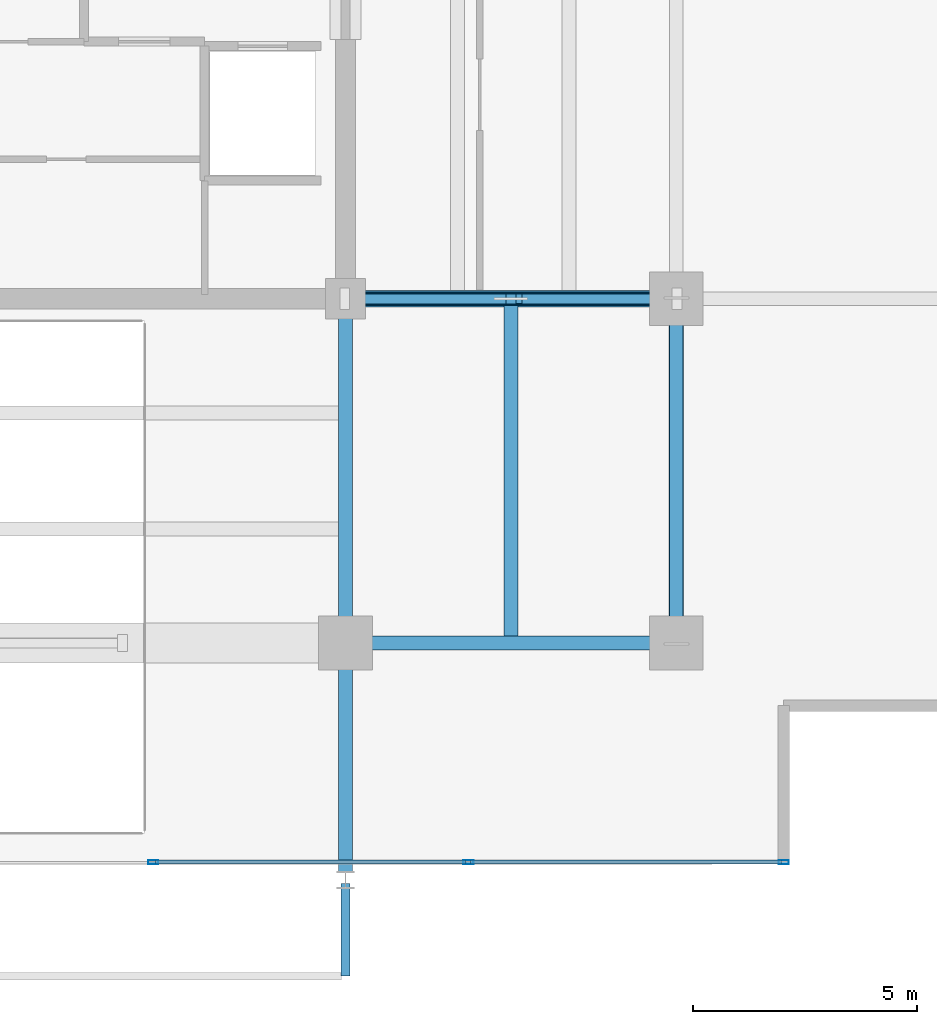
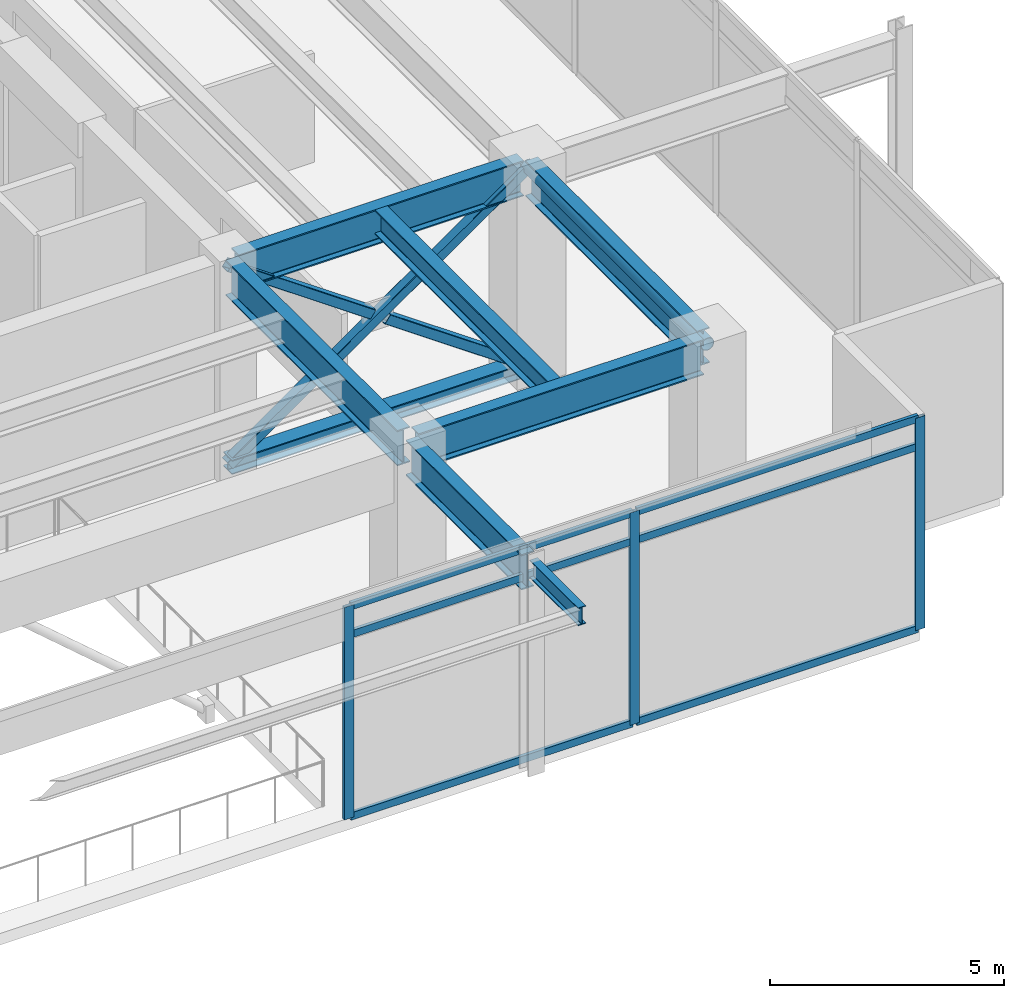
# One storey, part 8 of 26: 14 members, 7 beams, 1 element without a shape of its own.
"""IFC4 building model written with IfcOpenShell, lengths in metres."""

from ifc_helpers import new_model, si_unit, direction, frame, origin, origin_2d, place, context, subcontext, project, spatial, hollow_rectangle, hollow_circle, i_section, extrude, material, material_profile, profile_set, type_object, element, aggregate, save


model = new_model("IFC4")

# Units and contexts
model_context = context("Model", 3, precision=1e-05, world=origin(), true_north=direction((0.0, 1.0)))
body_context = subcontext(model_context, "Body", "Model", "MODEL_VIEW")
ifc_project = project(units=[si_unit("LENGTHUNIT", "METRE"), si_unit("AREAUNIT", "SQUARE_METRE"), si_unit("VOLUMEUNIT", "CUBIC_METRE"), si_unit("PLANEANGLEUNIT", "RADIAN"), si_unit("MASSUNIT", "GRAM", prefix="KILO")], contexts=[model_context])

# Site, building, storey
site_placement = place(None, origin())
site = spatial("IfcSite", under=ifc_project, at=site_placement, CompositionType="ELEMENT")
building_placement = place(site_placement, origin())
building = spatial("IfcBuilding", under=site, at=building_placement, Name="Kovane Verandah Tower", CompositionType="ELEMENT")
storey_placement = place(building_placement, frame((0.0, 0.0, 301.0)))
storey = spatial("IfcBuildingStorey", under=building, at=storey_placement, Name="L70", CompositionType="ELEMENT", Elevation=301.0)

# Beams
ifc_material_1 = material(Name="Steel S460", Category="steel")
ifc_material_profile_1 = material_profile(ifc_material_1, i_section(OverallWidth=0.311279296875, OverallDepth=0.6357421875, WebThickness=0.018310546875, FlangeThickness=0.031494140625, FilletRadius=0.0166015625, at=origin_2d()), Name="UB610x305x238")
ifc_profile_set_1 = profile_set([ifc_material_profile_1], Name="Steel S460")
beam_type_1 = type_object("IfcBeamType", Name="BM-UB610x238", PredefinedType="BEAM", material=ifc_profile_set_1)
beam_1_placement = place(storey_placement, frame((54.699951171875, 10.951904296875, 5.26708984375), z_axis=(0.0, 1.0, 0.0), x_axis=(-1.0, 0.0, 0.0)))
element("IfcBeam", 1, at=beam_1_placement, inside=storey, type_object=beam_type_1, Name="L70 Secondary Composite Joist J-SE1", PredefinedType="BEAM", context=body_context, shape_type="SweptSolid", body=[
    extrude(i_section(OverallWidth=0.311279296875, OverallDepth=0.6357421875, WebThickness=0.018310546875, FlangeThickness=0.031494140625, FilletRadius=0.0166015625, at=origin_2d()), origin(), (0.0, 0.0, 1.0), 7.396240234375),
])
ifc_material_profile_2 = material_profile(ifc_material_1, i_section(OverallWidth=0.3076171875, OverallDepth=0.926513671875, WebThickness=0.01953125, FlangeThickness=0.031982421875, FilletRadius=0.01904296875, at=origin_2d()), Name="UB914x305x289")
ifc_profile_set_2 = profile_set([ifc_material_profile_2], Name="Steel S460")
beam_type_2 = type_object("IfcBeamType", Name="BM-UB914x289", PredefinedType="BEAM", material=ifc_profile_set_2)
beam_2_placement = place(storey_placement, frame((51.179931640625, 10.800048828125, 5.12158203125), z_axis=(1.0, 0.0, 0.0), x_axis=(0.0, 1.0, 0.0)))
element("IfcBeam", 2, at=beam_2_placement, inside=storey, type_object=beam_type_2, Name="L70 Primary Tower Girder G-RS3", PredefinedType="BEAM", context=body_context, shape_type="SweptSolid", body=[
    extrude(i_section(OverallWidth=0.3076171875, OverallDepth=0.926513671875, WebThickness=0.01953125, FlangeThickness=0.031982421875, FilletRadius=0.01904296875, at=origin_2d()), origin(), (0.0, 0.0, 1.0), 7.0400390625),
])
beam_3_placement = place(storey_placement, frame((58.39990234375, 10.97998046875, 5.12158203125), z_axis=(0.0, 1.0, 0.0), x_axis=(-1.0, 0.0, 0.0)))
element("IfcBeam", 3, at=beam_3_placement, inside=storey, type_object=beam_type_2, Name="L70 Primary Tower Girder G-RE1", PredefinedType="BEAM", context=body_context, shape_type="SweptSolid", body=[
    extrude(i_section(OverallWidth=0.3076171875, OverallDepth=0.926513671875, WebThickness=0.01953125, FlangeThickness=0.031982421875, FilletRadius=0.01904296875, at=origin_2d()), origin(), (0.0, 0.0, 1.0), 7.340087890625),
])
beam_4_placement = place(storey_placement, frame((51.179931640625, 18.5, 5.12158203125), z_axis=(1.0, 0.0, 0.0), x_axis=(0.0, 1.0, 0.0)))
element("IfcBeam", 4, at=beam_4_placement, inside=storey, type_object=beam_type_2, Name="L70 Primary Tower Girder G-E1", PredefinedType="BEAM", context=body_context, shape_type="SweptSolid", body=[
    extrude(i_section(OverallWidth=0.3076171875, OverallDepth=0.926513671875, WebThickness=0.01953125, FlangeThickness=0.031982421875, FilletRadius=0.01904296875, at=origin_2d()), origin(), (0.0, 0.0, 1.0), 7.0400390625),
])
beam_5_placement = place(storey_placement, frame((51.0, 18.320068359375, 5.12158203125), z_axis=(0.0, -1.0, 0.0), x_axis=(1.0, 0.0, 0.0)))
element("IfcBeam", 5, at=beam_5_placement, inside=storey, type_object=beam_type_2, Name="L70 Primary Tower Girder G-S2", PredefinedType="BEAM", context=body_context, shape_type="SweptSolid", body=[
    extrude(i_section(OverallWidth=0.3076171875, OverallDepth=0.926513671875, WebThickness=0.01953125, FlangeThickness=0.031982421875, FilletRadius=0.01904296875, at=origin_2d()), origin(), (0.0, 0.0, 1.0), 7.340087890625),
])
beam_6_placement = place(storey_placement, frame((51.0, 10.6201171875, 5.0966796875), z_axis=(0.0, -1.0, 0.0), x_axis=(1.0, 0.0, 0.0)))
element("IfcBeam", 6, at=beam_6_placement, inside=storey, type_object=beam_type_2, Name="L70 Primary Tower Girder G-VS2", PredefinedType="BEAM", context=body_context, shape_type="SweptSolid", body=[
    extrude(i_section(OverallWidth=0.3076171875, OverallDepth=0.926513671875, WebThickness=0.01953125, FlangeThickness=0.031982421875, FilletRadius=0.01904296875, at=origin_2d()), origin(), (0.0, 0.0, 1.0), 4.940185546875),
])

# Curtain wall, members
ifc_material_2 = material(Name="Champagne Anodised Aluminium Frame with Low-E Clear Laminated Glass", Category="aluminium")
curtain_wall_type = type_object("IfcCurtainWallType", Name="CW-SYS-05-HIGH", PredefinedType="NOTDEFINED", material=ifc_material_2)
curtain_wall_placement = place(storey_placement, origin())
curtain_wall = element("IfcCurtainWall", 7, at=curtain_wall_placement, inside=storey, type_object=curtain_wall_type, Name="L70 South-East Wind-Portal Curtain Wall 1", PredefinedType="NOTDEFINED")
ifc_material_3 = material(Name="Champagne Anodised Aluminium 6063-T6", Category="aluminium")
ifc_material_profile_3 = material_profile(ifc_material_3, hollow_rectangle(XDim=0.0849609375, YDim=0.22998046875, WallThickness=0.00390625, at=origin_2d()), Name="AL85x230x4")
ifc_profile_set_3 = profile_set([ifc_material_profile_3], Name="Champagne Anodised Aluminium 6063-T6")
member_type_1 = type_object("IfcMemberType", Name="CW-MUL-85x230", PredefinedType="MULLION", material=ifc_profile_set_3)
member_1_placement = place(storey_placement, frame((46.699951171875, 5.89990234375, 0.02001953125), z_axis=(0.0, 0.0, 1.0), x_axis=(0.0, -1.0, 0.0)))
member_1 = element("IfcMember", 8, at=member_1_placement, type_object=member_type_1, Name="L70 South-East Wind-Portal Curtain Wall 1 Mullion 1", PredefinedType="MULLION", context=body_context, shape_type="SweptSolid", body=[
    extrude(hollow_rectangle(XDim=0.0849609375, YDim=0.22998046875, WallThickness=0.00390625, at=origin_2d()), origin(), (0.0, 0.0, 1.0), 5.544921875),
])
member_2_placement = place(storey_placement, frame((53.75, 5.89990234375, 0.02001953125), z_axis=(0.0, 0.0, 1.0), x_axis=(0.0, -1.0, 0.0)))
member_2 = element("IfcMember", 9, at=member_2_placement, type_object=member_type_1, Name="L70 South-East Wind-Portal Curtain Wall 1 Mullion 2", PredefinedType="MULLION", context=body_context, shape_type="SweptSolid", body=[
    extrude(hollow_rectangle(XDim=0.0849609375, YDim=0.22998046875, WallThickness=0.00390625, at=origin_2d()), origin(), (0.0, 0.0, 1.0), 5.544921875),
])
member_3_placement = place(storey_placement, frame((60.800048828125, 5.89990234375, 0.02001953125), z_axis=(0.0, 0.0, 1.0), x_axis=(0.0, -1.0, 0.0)))
member_3 = element("IfcMember", 10, at=member_3_placement, type_object=member_type_1, Name="L70 South-East Wind-Portal Curtain Wall 1 Mullion 3", PredefinedType="MULLION", context=body_context, shape_type="SweptSolid", body=[
    extrude(hollow_rectangle(XDim=0.0849609375, YDim=0.22998046875, WallThickness=0.00390625, at=origin_2d()), origin(), (0.0, 0.0, 1.0), 5.544921875),
])
ifc_material_profile_4 = material_profile(ifc_material_3, hollow_rectangle(XDim=0.0849609375, YDim=0.18994140625, WallThickness=0.00390625, at=origin_2d()), Name="AL85x190x4")
ifc_profile_set_4 = profile_set([ifc_material_profile_4], Name="Champagne Anodised Aluminium 6063-T6")
member_type_2 = type_object("IfcMemberType", Name="CW-TRN-85x190", PredefinedType="USERDEFINED", material=ifc_profile_set_4)
member_4_placement = place(storey_placement, frame((46.75, 5.89990234375, 0.050048828125), z_axis=(1.0, 0.0, 0.0), x_axis=(0.0, 1.0, 0.0)))
member_4 = element("IfcMember", 11, at=member_4_placement, type_object=member_type_2, Name="L70 South-East Wind-Portal Curtain Wall 1 Transom TB Bay 1", ObjectType="TRANSOM", PredefinedType="USERDEFINED", context=body_context, shape_type="SweptSolid", body=[
    extrude(hollow_rectangle(XDim=0.0849609375, YDim=0.18994140625, WallThickness=0.00390625, at=origin_2d()), origin(), (0.0, 0.0, 1.0), 6.949951171875),
])
member_5_placement = place(storey_placement, frame((46.75, 5.89990234375, 4.804931640625), z_axis=(1.0, 0.0, 0.0), x_axis=(0.0, 1.0, 0.0)))
member_5 = element("IfcMember", 12, at=member_5_placement, type_object=member_type_2, Name="L70 South-East Wind-Portal Curtain Wall 1 Transom TM Bay 1", ObjectType="TRANSOM", PredefinedType="USERDEFINED", context=body_context, shape_type="SweptSolid", body=[
    extrude(hollow_rectangle(XDim=0.0849609375, YDim=0.18994140625, WallThickness=0.00390625, at=origin_2d()), origin(), (0.0, 0.0, 1.0), 6.949951171875),
])
member_6_placement = place(storey_placement, frame((46.75, 5.89990234375, 5.534912109375), z_axis=(1.0, 0.0, 0.0), x_axis=(0.0, 1.0, 0.0)))
member_6 = element("IfcMember", 13, at=member_6_placement, type_object=member_type_2, Name="L70 South-East Wind-Portal Curtain Wall 1 Transom TT Bay 1", ObjectType="TRANSOM", PredefinedType="USERDEFINED", context=body_context, shape_type="SweptSolid", body=[
    extrude(hollow_rectangle(XDim=0.0849609375, YDim=0.18994140625, WallThickness=0.00390625, at=origin_2d()), origin(), (0.0, 0.0, 1.0), 6.949951171875),
])
member_7_placement = place(storey_placement, frame((53.800048828125, 5.89990234375, 0.050048828125), z_axis=(1.0, 0.0, 0.0), x_axis=(0.0, 1.0, 0.0)))
member_7 = element("IfcMember", 14, at=member_7_placement, type_object=member_type_2, Name="L70 South-East Wind-Portal Curtain Wall 1 Transom TB Bay 2", ObjectType="TRANSOM", PredefinedType="USERDEFINED", context=body_context, shape_type="SweptSolid", body=[
    extrude(hollow_rectangle(XDim=0.0849609375, YDim=0.18994140625, WallThickness=0.00390625, at=origin_2d()), origin(), (0.0, 0.0, 1.0), 6.949951171875),
])
member_8_placement = place(storey_placement, frame((53.800048828125, 5.89990234375, 4.804931640625), z_axis=(1.0, 0.0, 0.0), x_axis=(0.0, 1.0, 0.0)))
member_8 = element("IfcMember", 15, at=member_8_placement, type_object=member_type_2, Name="L70 South-East Wind-Portal Curtain Wall 1 Transom TM Bay 2", ObjectType="TRANSOM", PredefinedType="USERDEFINED", context=body_context, shape_type="SweptSolid", body=[
    extrude(hollow_rectangle(XDim=0.0849609375, YDim=0.18994140625, WallThickness=0.00390625, at=origin_2d()), origin(), (0.0, 0.0, 1.0), 6.949951171875),
])
member_9_placement = place(storey_placement, frame((53.800048828125, 5.89990234375, 5.534912109375), z_axis=(1.0, 0.0, 0.0), x_axis=(0.0, 1.0, 0.0)))
member_9 = element("IfcMember", 16, at=member_9_placement, type_object=member_type_2, Name="L70 South-East Wind-Portal Curtain Wall 1 Transom TT Bay 2", ObjectType="TRANSOM", PredefinedType="USERDEFINED", context=body_context, shape_type="SweptSolid", body=[
    extrude(hollow_rectangle(XDim=0.0849609375, YDim=0.18994140625, WallThickness=0.00390625, at=origin_2d()), origin(), (0.0, 0.0, 1.0), 6.949951171875),
])
aggregate(curtain_wall, [member_1, member_2, member_3, member_4, member_5, member_6, member_7, member_8, member_9])

# Beam
ifc_material_4 = material(Name="Steel S355", Category="steel")
ifc_material_profile_5 = material_profile(ifc_material_4, i_section(OverallWidth=0.19287109375, OverallDepth=0.46728515625, WebThickness=0.011474609375, FlangeThickness=0.01953125, FilletRadius=0.01025390625, at=origin_2d()), Name="UB457x191x98")
ifc_profile_set_5 = profile_set([ifc_material_profile_5], Name="Steel S355")
beam_type_3 = type_object("IfcBeamType", Name="JST-UB457x98", PredefinedType="JOIST", material=ifc_profile_set_5)
beam_7_placement = place(storey_placement, frame((51.0, 5.419921875, 5.326416015625), z_axis=(0.0, -1.0, 0.0), x_axis=(1.0, 0.0, 0.0)))
element("IfcBeam", 17, at=beam_7_placement, inside=storey, type_object=beam_type_3, Name="L70 South Planter Girder 2", PredefinedType="JOIST", context=body_context, shape_type="SweptSolid", body=[
    extrude(i_section(OverallWidth=0.19287109375, OverallDepth=0.46728515625, WebThickness=0.011474609375, FlangeThickness=0.01953125, FilletRadius=0.01025390625, at=origin_2d()), origin(), (0.0, 0.0, 1.0), 2.06982421875),
])

# Members
ifc_material_profile_6 = material_profile(ifc_material_4, hollow_rectangle(XDim=0.25, YDim=0.25, WallThickness=0.012451171875, InnerFilletRadius=0.012451171875, OuterFilletRadius=0.02490234375, at=origin_2d()), Name="SHS250x250x12.5")
ifc_profile_set_6 = profile_set([ifc_material_profile_6], Name="Steel S355")
member_type_3 = type_object("IfcMemberType", Name="MEM-BR-SHS250", PredefinedType="BRACE", material=ifc_profile_set_6)
member_10_placement = place(storey_placement, frame((51.0, 18.5, 0.1201171875), z_axis=(0.818977960496, 0.0, 0.573824973509), x_axis=(0.0, 1.0, 0.0)))
element("IfcMember", 18, at=member_10_placement, inside=storey, type_object=member_type_3, Name="L70 Outrigger Continuous Diagonal OE1", PredefinedType="BRACE", context=body_context, shape_type="SweptSolid", body=[
    extrude(hollow_rectangle(XDim=0.25, YDim=0.25, WallThickness=0.012451171875, InnerFilletRadius=0.012451171875, OuterFilletRadius=0.02490234375, at=origin_2d()), origin(), (0.0, 0.0, 1.0), 9.03564453125),
])
member_11_placement = place(storey_placement, frame((58.39990234375, 18.5, 0.1201171875), z_axis=(-0.818988986866, 0.0, 0.573809236064), x_axis=(0.0, -1.0, 0.0)))
element("IfcMember", 19, at=member_11_placement, inside=storey, type_object=member_type_3, Name="L70 Outrigger Split Diagonal Lower OE1", PredefinedType="BRACE", context=body_context, shape_type="SweptSolid", body=[
    extrude(hollow_rectangle(XDim=0.25, YDim=0.25, WallThickness=0.012451171875, InnerFilletRadius=0.012451171875, OuterFilletRadius=0.02490234375, at=origin_2d()), origin(), (0.0, 0.0, 1.0), 4.297607421875),
])
member_12_placement = place(storey_placement, frame((54.519775390625, 18.5, 2.838623046875), z_axis=(-0.818962290692, 0.0, 0.573847337211), x_axis=(0.0, -1.0, 0.0)))
element("IfcMember", 20, at=member_12_placement, inside=storey, type_object=member_type_3, Name="L70 Outrigger Split Diagonal Upper OE1", PredefinedType="BRACE", context=body_context, shape_type="SweptSolid", body=[
    extrude(hollow_rectangle(XDim=0.25, YDim=0.25, WallThickness=0.012451171875, InnerFilletRadius=0.012451171875, OuterFilletRadius=0.02490234375, at=origin_2d()), origin(), (0.0, 0.0, 1.0), 4.2978515625),
])
ifc_material_profile_7 = material_profile(ifc_material_4, i_section(OverallWidth=0.374755859375, OverallDepth=0.37451171875, WebThickness=0.0166015625, FlangeThickness=0.027099609375, FilletRadius=0.01513671875, at=origin_2d()), Name="UC356x368x202")
ifc_profile_set_7 = profile_set([ifc_material_profile_7], Name="Steel S355")
member_type_4 = type_object("IfcMemberType", Name="MEM-CHORD-UC202", PredefinedType="CHORD", material=ifc_profile_set_7)
member_13_placement = place(storey_placement, frame((51.0, 18.5, 0.1201171875), z_axis=(1.0, 0.0, 0.0), x_axis=(0.0, 1.0, 0.0)))
element("IfcMember", 21, at=member_13_placement, inside=storey, type_object=member_type_4, Name="L70 Outrigger Bottom Chord OE1", PredefinedType="CHORD", context=body_context, shape_type="SweptSolid", body=[
    extrude(i_section(OverallWidth=0.374755859375, OverallDepth=0.37451171875, WebThickness=0.0166015625, FlangeThickness=0.027099609375, FilletRadius=0.01513671875, at=origin_2d()), origin(), (0.0, 0.0, 1.0), 7.39990234375),
])
ifc_material_profile_8 = material_profile(ifc_material_1, hollow_circle(Radius=0.161865234375, WallThickness=0.012451171875, at=origin_2d()), Name="CHS323.9x12.5")
ifc_profile_set_8 = profile_set([ifc_material_profile_8], Name="Steel S460")
member_type_5 = type_object("IfcMemberType", Name="MEM-STRUT-CHS324", PredefinedType="STRUT", material=ifc_profile_set_8)
member_14_placement = place(storey_placement, frame((58.39990234375, 10.800048828125, 5.304931640625), z_axis=(0.0, 1.0, 0.0), x_axis=(-1.0, 0.0, 0.0)))
element("IfcMember", 22, at=member_14_placement, inside=storey, type_object=member_type_5, Name="L70 Belt-Truss Ring Chord BE1", PredefinedType="STRUT", context=body_context, shape_type="SweptSolid", body=[
    extrude(hollow_circle(Radius=0.161865234375, WallThickness=0.012451171875, at=origin_2d()), origin(), (0.0, 0.0, 1.0), 7.699951171875),
])

save(model, "model.ifc")
